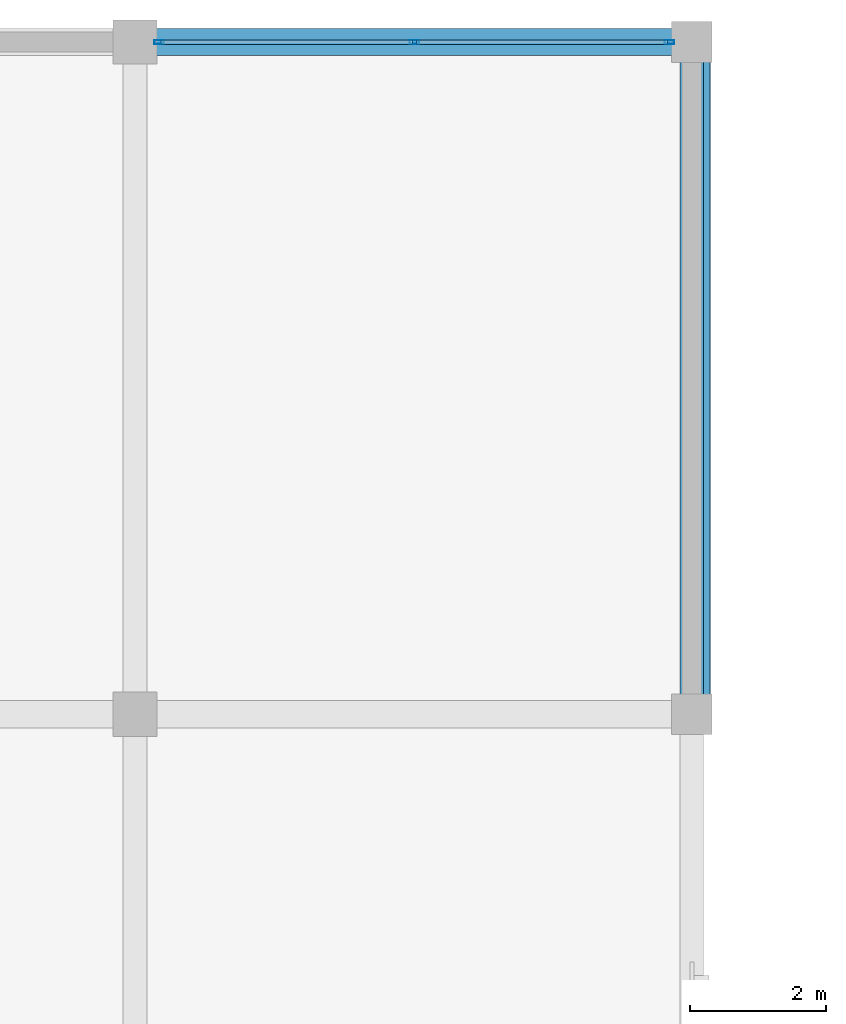
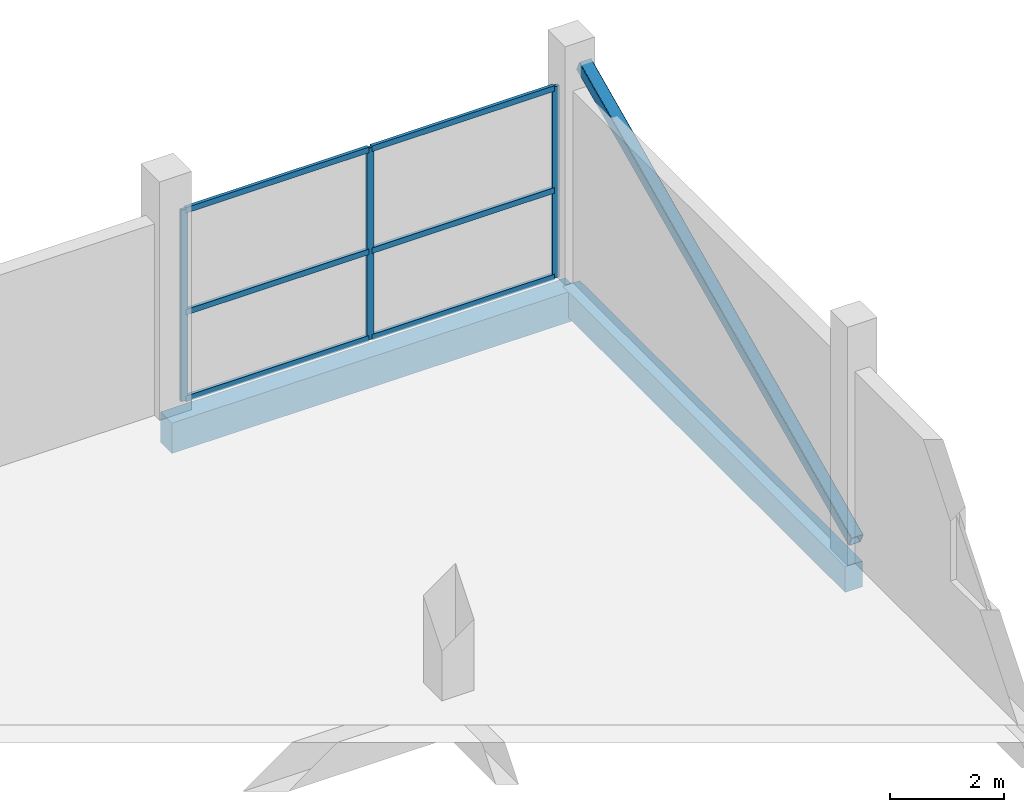
# One storey, part 41 of 58: 10 members, 2 beams, 1 element without a shape of its own.
"""IFC4 building model written with IfcOpenShell, lengths in metres."""

from ifc_helpers import new_model, si_unit, direction, frame, origin, origin_2d, place, context, subcontext, project, spatial, rectangle, hollow_rectangle, extrude, material, layer, layer_set, material_profile, profile_set, type_object, element, aggregate, save


model = new_model("IFC4")

# Units and contexts
model_context = context("Model", 3, precision=1e-05, world=origin(), true_north=direction((0.0, 1.0)))
body_context = subcontext(model_context, "Body", "Model", "MODEL_VIEW")
ifc_project = project(units=[si_unit("LENGTHUNIT", "METRE"), si_unit("AREAUNIT", "SQUARE_METRE"), si_unit("VOLUMEUNIT", "CUBIC_METRE"), si_unit("PLANEANGLEUNIT", "RADIAN"), si_unit("MASSUNIT", "GRAM", prefix="KILO")], contexts=[model_context])

# Site, building, storey
site_placement = place(None, origin())
site = spatial("IfcSite", under=ifc_project, at=site_placement, CompositionType="ELEMENT")
building_placement = place(site_placement, origin())
building = spatial("IfcBuilding", under=site, at=building_placement, Name="Sillaruma Civic Art Gallery", CompositionType="ELEMENT")
storey_placement = place(building_placement, frame((0.0, 0.0, 52.02001953125)))
storey = spatial("IfcBuildingStorey", under=building, at=storey_placement, Name="L10", CompositionType="ELEMENT", Elevation=52.02001953125)

# Beams
ifc_material_1 = material(Name="Concrete H35 (35 MPa)", Category="concrete")
ifc_material_profile_1 = material_profile(ifc_material_1, rectangle(XDim=0.35009765625, YDim=0.550048828125, at=origin_2d()), Name="RCB350x550")
ifc_profile_set_1 = profile_set([ifc_material_profile_1], Name="Concrete H35 (35 MPa)")
beam_type_1 = type_object("IfcBeamType", Name="BM-SPANDREL-RCB350x550", PredefinedType="SPANDREL", material=ifc_profile_set_1)
beam_1_placement = place(storey_placement, frame((114.39990234375, 89.10009765625, -0.52490234375), z_axis=(0.0, 1.0, 0.0), x_axis=(-1.0, 0.0, 0.0)))
element("IfcBeam", 1, at=beam_1_placement, inside=storey, type_object=beam_type_1, Name="Beam BS-04 (L09:N:10-11)", PredefinedType="SPANDREL", context=body_context, shape_type="SweptSolid", body=[
    extrude(rectangle(XDim=0.35009765625, YDim=0.550048828125, at=origin_2d()), origin(), (0.0, 0.0, 1.0), 9.89990234375),
])
ifc_material_profile_2 = material_profile(ifc_material_1, rectangle(XDim=0.39990234375, YDim=0.64990234375, at=origin_2d()), Name="RCB400x650")
ifc_profile_set_2 = profile_set([ifc_material_profile_2], Name="Concrete H35 (35 MPa)")
beam_type_2 = type_object("IfcBeamType", Name="BM-SPANDREL-RCB400x650", PredefinedType="SPANDREL", material=ifc_profile_set_2)
beam_2_placement = place(storey_placement, frame((106.199951171875, 99.0, -0.574951171875), z_axis=(1.0, 0.0, 0.0), x_axis=(0.0, 1.0, 0.0)))
element("IfcBeam", 2, at=beam_2_placement, inside=storey, type_object=beam_type_2, Name="Beam BS-02 (L09:11:M-N)", PredefinedType="SPANDREL", context=body_context, shape_type="SweptSolid", body=[
    extrude(rectangle(XDim=0.39990234375, YDim=0.64990234375, at=origin_2d()), origin(), (0.0, 0.0, 1.0), 8.199951171875),
])

# Member
ifc_material_2 = material(Name="Structural Steel ASTM A500 Gr.C", Category="steel")
ifc_material_profile_3 = material_profile(ifc_material_2, hollow_rectangle(XDim=0.25, YDim=0.25, WallThickness=0.012451171875, InnerFilletRadius=0.012451171875, OuterFilletRadius=0.02490234375, at=origin_2d()), Name="HSS250x250x12.5")
ifc_profile_set_3 = profile_set([ifc_material_profile_3], Name="Structural Steel ASTM A500 Gr.C")
member_type_1 = type_object("IfcMemberType", Name="MEM-MEGA-BRACE", PredefinedType="BRACE", material=ifc_profile_set_3)
member_1_placement = place(storey_placement, frame((114.550048828125, 89.280029296875, 0.10009765625), z_axis=(0.0, 0.908074976581, 0.418807637116), x_axis=(-1.0, 0.0, 0.0)))
element("IfcMember", 3, at=member_1_placement, inside=storey, type_object=member_type_1, Name="Exterior Expressed Gallery Seismic Diagonal Brace (L10-EN)", PredefinedType="BRACE", context=body_context, shape_type="SweptSolid", body=[
    extrude(hollow_rectangle(XDim=0.25, YDim=0.25, WallThickness=0.012451171875, InnerFilletRadius=0.012451171875, OuterFilletRadius=0.02490234375, at=origin_2d()), origin(), (0.0, 0.0, 1.0), 10.505859375),
])

# Curtain wall, members
ifc_material_3 = material(Name="Thermally Broken Extruded Aluminium 6063-T6", Category="aluminium")
ifc_layer = layer(ifc_material_3, 0.139892578125, Name="Thermally Broken Extruded Aluminium 6063-T6")
ifc_layer_set = layer_set([ifc_layer], Name="Thermally Broken Extruded Aluminium 6063-T6")
curtain_wall_type = type_object("IfcCurtainWallType", Name="CW-UNI-83", PredefinedType="NOTDEFINED", material=ifc_layer_set)
curtain_wall_placement = place(storey_placement, origin())
curtain_wall = element("IfcCurtainWall", 4, at=curtain_wall_placement, inside=storey, type_object=curtain_wall_type, Name="Unitised Curtain Wall CW-83 (CW-L10-EBN-2)", PredefinedType="NOTDEFINED")
ifc_material_profile_4 = material_profile(ifc_material_3, hollow_rectangle(XDim=0.06005859375, YDim=0.139892578125, WallThickness=0.00341796875, at=origin_2d()), Name="CWM60x140")
ifc_profile_set_4 = profile_set([ifc_material_profile_4], Name="Thermally Broken Extruded Aluminium 6063-T6")
member_type_2 = type_object("IfcMemberType", Name="MEM-MUL-CWM60x140", PredefinedType="MULLION", material=ifc_profile_set_4)
member_2_placement = place(storey_placement, frame((106.554931640625, 99.0, 0.0), z_axis=(0.0, 0.0, 1.0), x_axis=(0.0, 1.0, 0.0)))
member_2 = element("IfcMember", 5, at=member_2_placement, type_object=member_type_2, Name="CW-83 mullion 1", PredefinedType="MULLION", context=body_context, shape_type="SweptSolid", body=[
    extrude(hollow_rectangle(XDim=0.06005859375, YDim=0.139892578125, WallThickness=0.00341796875, at=origin_2d()), origin(), (0.0, 0.0, 1.0), 4.10009765625),
])
member_3_placement = place(storey_placement, frame((110.3125, 99.0, 0.0), z_axis=(0.0, 0.0, 1.0), x_axis=(0.0, 1.0, 0.0)))
member_3 = element("IfcMember", 6, at=member_3_placement, type_object=member_type_2, Name="CW-83 mullion 2", PredefinedType="MULLION", context=body_context, shape_type="SweptSolid", body=[
    extrude(hollow_rectangle(XDim=0.06005859375, YDim=0.139892578125, WallThickness=0.00341796875, at=origin_2d()), origin(), (0.0, 0.0, 1.0), 4.10009765625),
])
member_4_placement = place(storey_placement, frame((114.070068359375, 99.0, 0.0), z_axis=(0.0, 0.0, 1.0), x_axis=(0.0, 1.0, 0.0)))
member_4 = element("IfcMember", 7, at=member_4_placement, type_object=member_type_2, Name="CW-83 mullion 3", PredefinedType="MULLION", context=body_context, shape_type="SweptSolid", body=[
    extrude(hollow_rectangle(XDim=0.06005859375, YDim=0.139892578125, WallThickness=0.00341796875, at=origin_2d()), origin(), (0.0, 0.0, 1.0), 4.10009765625),
])
ifc_material_profile_5 = material_profile(ifc_material_3, hollow_rectangle(XDim=0.06494140625, YDim=0.1201171875, WallThickness=0.00341796875, at=origin_2d()), Name="CWT65x120")
ifc_profile_set_5 = profile_set([ifc_material_profile_5], Name="Thermally Broken Extruded Aluminium 6063-T6")
member_type_3 = type_object("IfcMemberType", Name="MEM-TRN-CWT65x120", PredefinedType="USERDEFINED", material=ifc_profile_set_5)
member_5_placement = place(storey_placement, frame((106.5849609375, 99.0, 0.032470703125), z_axis=(1.0, 0.0, 0.0), x_axis=(0.0, 1.0, 0.0)))
member_5 = element("IfcMember", 8, at=member_5_placement, type_object=member_type_3, Name="CW-83 transom 1.1", ObjectType="TRANSOM", PredefinedType="USERDEFINED", context=body_context, shape_type="SweptSolid", body=[
    extrude(hollow_rectangle(XDim=0.06494140625, YDim=0.1201171875, WallThickness=0.00341796875, at=origin_2d()), origin(), (0.0, 0.0, 1.0), 3.697509765625),
])
member_6_placement = place(storey_placement, frame((106.5849609375, 99.0, 1.885986328125), z_axis=(1.0, 0.0, 0.0), x_axis=(0.0, 1.0, 0.0)))
member_6 = element("IfcMember", 9, at=member_6_placement, type_object=member_type_3, Name="CW-83 transom 1.2", ObjectType="TRANSOM", PredefinedType="USERDEFINED", context=body_context, shape_type="SweptSolid", body=[
    extrude(hollow_rectangle(XDim=0.06494140625, YDim=0.1201171875, WallThickness=0.00341796875, at=origin_2d()), origin(), (0.0, 0.0, 1.0), 3.697509765625),
])
member_7_placement = place(storey_placement, frame((106.5849609375, 99.0, 4.0673828125), z_axis=(1.0, 0.0, 0.0), x_axis=(0.0, 1.0, 0.0)))
member_7 = element("IfcMember", 10, at=member_7_placement, type_object=member_type_3, Name="CW-83 transom 1.3", ObjectType="TRANSOM", PredefinedType="USERDEFINED", context=body_context, shape_type="SweptSolid", body=[
    extrude(hollow_rectangle(XDim=0.06494140625, YDim=0.1201171875, WallThickness=0.00341796875, at=origin_2d()), origin(), (0.0, 0.0, 1.0), 3.697509765625),
])
member_8_placement = place(storey_placement, frame((110.342529296875, 99.0, 0.032470703125), z_axis=(1.0, 0.0, 0.0), x_axis=(0.0, 1.0, 0.0)))
member_8 = element("IfcMember", 11, at=member_8_placement, type_object=member_type_3, Name="CW-83 transom 2.1", ObjectType="TRANSOM", PredefinedType="USERDEFINED", context=body_context, shape_type="SweptSolid", body=[
    extrude(hollow_rectangle(XDim=0.06494140625, YDim=0.1201171875, WallThickness=0.00341796875, at=origin_2d()), origin(), (0.0, 0.0, 1.0), 3.697509765625),
])
member_9_placement = place(storey_placement, frame((110.342529296875, 99.0, 1.885986328125), z_axis=(1.0, 0.0, 0.0), x_axis=(0.0, 1.0, 0.0)))
member_9 = element("IfcMember", 12, at=member_9_placement, type_object=member_type_3, Name="CW-83 transom 2.2", ObjectType="TRANSOM", PredefinedType="USERDEFINED", context=body_context, shape_type="SweptSolid", body=[
    extrude(hollow_rectangle(XDim=0.06494140625, YDim=0.1201171875, WallThickness=0.00341796875, at=origin_2d()), origin(), (0.0, 0.0, 1.0), 3.697509765625),
])
member_10_placement = place(storey_placement, frame((110.342529296875, 99.0, 4.0673828125), z_axis=(1.0, 0.0, 0.0), x_axis=(0.0, 1.0, 0.0)))
member_10 = element("IfcMember", 13, at=member_10_placement, type_object=member_type_3, Name="CW-83 transom 2.3", ObjectType="TRANSOM", PredefinedType="USERDEFINED", context=body_context, shape_type="SweptSolid", body=[
    extrude(hollow_rectangle(XDim=0.06494140625, YDim=0.1201171875, WallThickness=0.00341796875, at=origin_2d()), origin(), (0.0, 0.0, 1.0), 3.697509765625),
])
aggregate(curtain_wall, [member_2, member_3, member_4, member_5, member_6, member_7, member_8, member_9, member_10])

save(model, "model.ifc")
